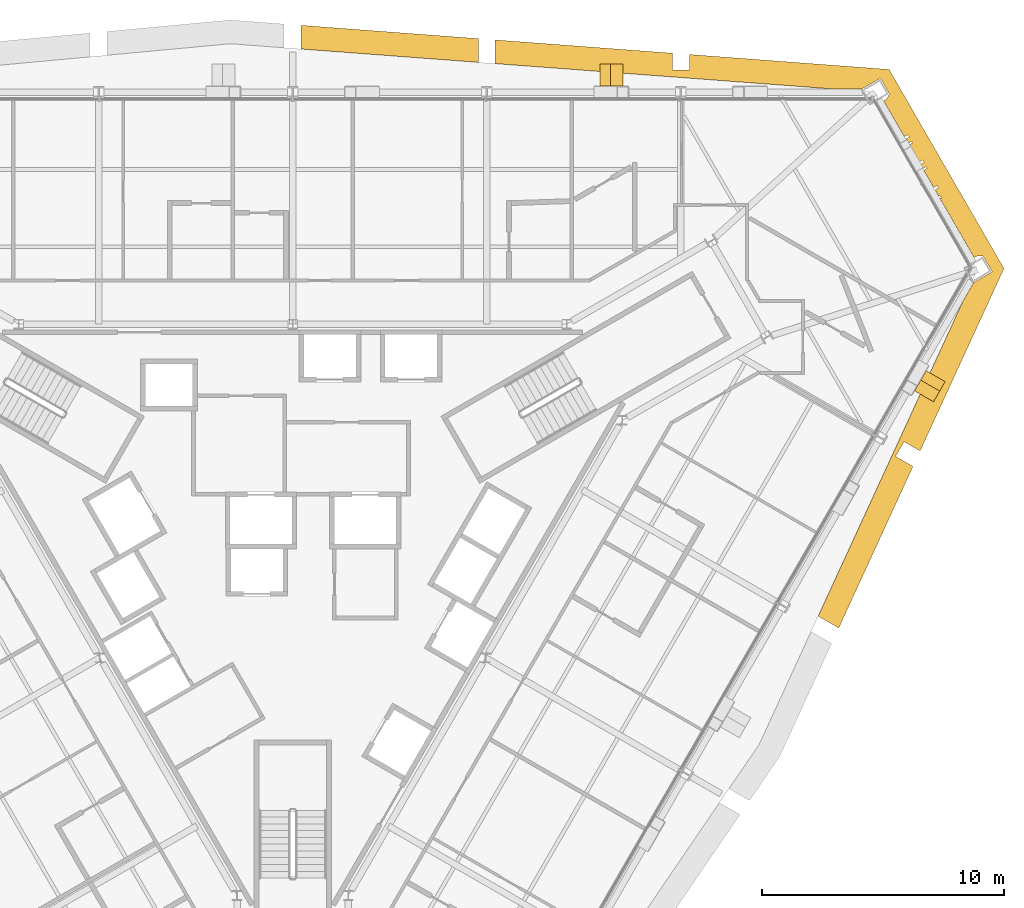
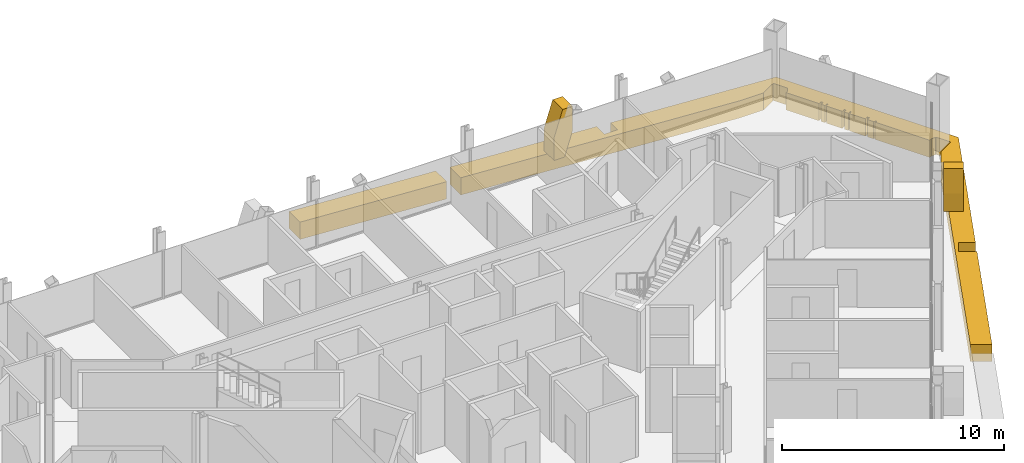
# One storey, part 16 of 16: 4 coverings.
"""IFC4 building model written with IfcOpenShell, lengths in metres."""

from ifc_helpers import new_model, si_unit, direction, frame, origin, place, context, subcontext, project, spatial, polyline, outline, extrude, material, layer, layer_set, type_object, element, save


model = new_model("IFC4")

# Units and contexts
model_context = context("Model", 3, precision=1e-05, world=origin(), true_north=direction((0.0, 1.0)))
body_context = subcontext(model_context, "Body", "Model", "MODEL_VIEW")
ifc_project = project(units=[si_unit("LENGTHUNIT", "METRE"), si_unit("AREAUNIT", "SQUARE_METRE"), si_unit("VOLUMEUNIT", "CUBIC_METRE"), si_unit("PLANEANGLEUNIT", "RADIAN"), si_unit("MASSUNIT", "GRAM", prefix="KILO")], contexts=[model_context])

# Site, building, storey
site_placement = place(None, origin())
site = spatial("IfcSite", under=ifc_project, at=site_placement, CompositionType="ELEMENT")
building_placement = place(site_placement, origin())
building = spatial("IfcBuilding", under=site, at=building_placement, Name="Verrane Prism Tower", CompositionType="ELEMENT")
storey_placement = place(building_placement, frame((0.0, 0.0, 107.199951171875)))
storey = spatial("IfcBuildingStorey", under=building, at=storey_placement, Name="L25", CompositionType="ELEMENT", Elevation=107.199951171875)

# Coverings
ifc_material_1 = material(Name="Warm limestone cladding", Category="masonry")
ifc_layer_1 = layer(ifc_material_1, 0.89990234375)
ifc_layer_set_1 = layer_set([ifc_layer_1], Name="Stone brace fin 900")
covering_type_1 = type_object("IfcCoveringType", Name="Stone brace fin 900", PredefinedType="CLADDING", material=ifc_layer_set_1)
covering_1_placement = place(storey_placement, frame((12.697021484375, 19.493896484375, 0.0), z_axis=(0.0, 0.0, 1.0), x_axis=(1.0, 0.0, 0.0)))
element("IfcCovering", 1, at=covering_1_placement, inside=storey, type_object=covering_type_1, Name="Stone brace fin N2 L25", PredefinedType="CLADDING", context=body_context, shape_type="SweptSolid", body=[
    extrude(outline(polyline([(0.95751953125, 2.650146484375), (0.448486328125, 2.650146484375), (0.0, 1.2412109375), (0.0, 0.0), (0.549560546875, 0.0), (0.95751953125, 1.28173828125), (0.95751953125, 2.650146484375)])), frame((0.0, 0.449951171875, 0.0), z_axis=(0.0, -1.0, 0.0), x_axis=(1.0, 0.0, 0.0)), (0.0, 0.0, 1.0), 0.89990234375),
])
covering_2_placement = place(storey_placement, frame((26.581298828125, 7.045166015625, 0.0), z_axis=(0.0, 0.0, 1.0), x_axis=(-0.499840134137, -0.866117682712, 0.0)))
element("IfcCovering", 2, at=covering_2_placement, inside=storey, type_object=covering_type_1, Name="Stone brace fin SE6 L25", PredefinedType="CLADDING", context=body_context, shape_type="SweptSolid", body=[
    extrude(outline(polyline([(0.9580078125, 2.650146484375), (0.44873046875, 2.650146484375), (0.0, 1.240478515625), (0.0, 0.0), (0.549560546875, 0.0), (0.9580078125, 1.282470703125), (0.9580078125, 2.650146484375)])), frame((0.0, 0.449951171875, 0.0), z_axis=(0.0, -1.0, 0.0), x_axis=(1.0, 0.0, 0.0)), (0.0, 0.0, 1.0), 0.89990234375),
])
ifc_material_2 = material(Name="Warm limestone cladding", Category="masonry")
ifc_layer_2 = layer(ifc_material_2, 0.449951171875)
ifc_layer_set_2 = layer_set([ifc_layer_2], Name="Stone spandrel band 450")
covering_type_2 = type_object("IfcCoveringType", Name="Stone spandrel band 450", PredefinedType="CLADDING", material=ifc_layer_set_2)
covering_3_placement = place(storey_placement, frame((0.0, 0.0, -0.949951171875)))
element("IfcCovering", 3, at=covering_3_placement, inside=storey, type_object=covering_type_2, Name="Stone spandrel band L25 part 2", PredefinedType="CLADDING", context=body_context, shape_type="SweptSolid", body=[
    extrude(outline(polyline([(8.372314453125, 20.949462890625), (8.372314453125, 19.968505859375), (22.29150390625, 18.92333984375), (23.541015625, 18.92333984375), (24.295654296875, 19.359130859375), (24.67578125, 18.700927734375), (24.65673828125, 18.68994140625), (24.542724609375, 18.495361328125), (24.42919921875, 18.4296875), (25.2861328125, 16.945556640625), (25.432861328125, 17.030517578125), (25.490966796875, 16.929931640625), (25.343994140625, 16.844970703125), (25.444580078125, 16.671142578125), (25.59130859375, 16.756103515625), (25.62646484375, 16.6953125), (25.4794921875, 16.610595703125), (25.8916015625, 15.896728515625), (26.03857421875, 15.981689453125), (26.0966796875, 15.88134765625), (25.94970703125, 15.79638671875), (26.050048828125, 15.622314453125), (26.197265625, 15.70751953125), (26.232177734375, 15.646728515625), (26.0849609375, 15.561767578125), (26.4970703125, 14.84814453125), (26.644287109375, 14.93310546875), (26.702392578125, 14.83251953125), (26.55517578125, 14.74755859375), (26.700927734375, 14.494873046875), (26.83203125, 14.473876953125), (26.81982421875, 14.397705078125), (26.75048828125, 14.40869140625), (28.17529296875, 11.94091796875), (28.291748046875, 12.008056640625), (28.5166015625, 12.008056640625), (28.53564453125, 12.01904296875), (28.915771484375, 11.36083984375), (28.1572265625, 10.923095703125), (27.705078125, 10.1396484375), (21.72314453125, -2.874267578125), (22.573974609375, -3.365478515625), (25.645263671875, 3.31640625), (24.9248046875, 3.732421875), (25.274658203125, 4.338623046875), (25.938720703125, 3.955322265625), (29.406005859375, 11.498779296875), (24.65576171875, 19.726806640625), (16.394775390625, 20.346923828125), (16.394775390625, 19.7099609375), (15.69482421875, 19.7099609375), (15.69482421875, 20.3994140625), (8.372314453125, 20.949462890625)])), origin(), (0.0, 0.0, 1.0), 0.949951171875),
])
covering_4_placement = place(storey_placement, frame((0.0, 0.0, -0.949951171875)))
element("IfcCovering", 4, at=covering_4_placement, inside=storey, type_object=covering_type_2, Name="Stone spandrel band L25 part 8", PredefinedType="CLADDING", context=body_context, shape_type="SweptSolid", body=[
    extrude(outline(polyline([(0.35009765625, 21.5517578125), (0.35009765625, 20.57080078125), (7.67236328125, 20.02099609375), (7.67236328125, 21.001953125), (0.35009765625, 21.5517578125)])), origin(), (0.0, 0.0, 1.0), 0.949951171875),
])

save(model, "model.ifc")
